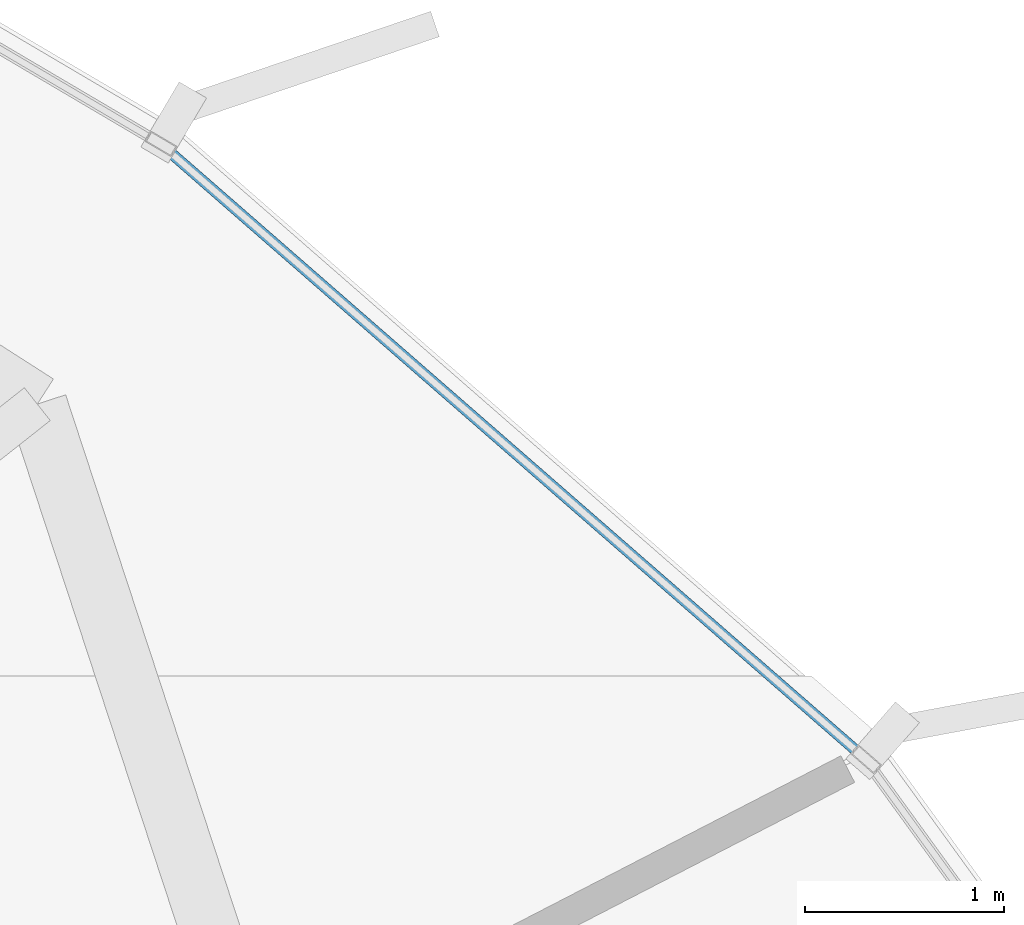
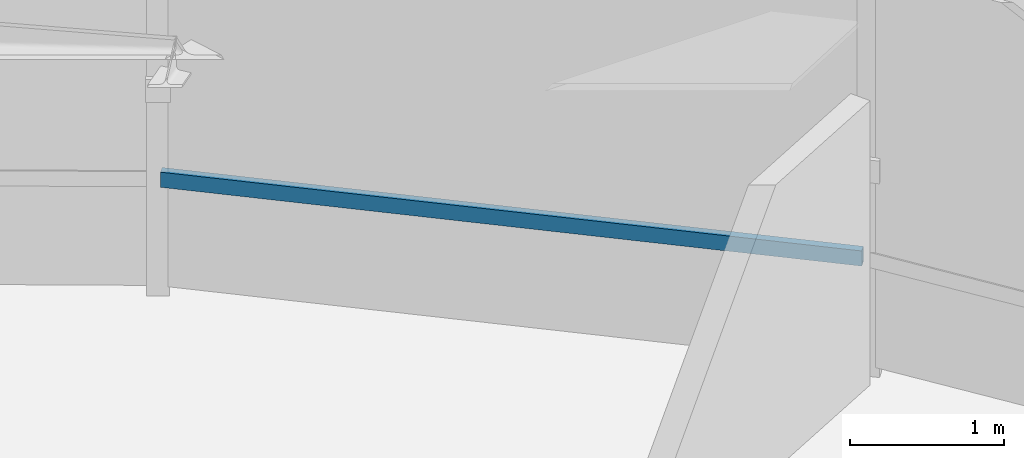
# One storey, part 26 of 35: 1 member, 1 element without a shape of its own.
"""IFC4 building model written with IfcOpenShell, lengths in metres."""

from ifc_helpers import new_model, si_unit, direction, frame, origin, origin_2d, place, context, subcontext, project, spatial, hollow_rectangle, extrude, source, transform, mapped, material, layer, layer_set, material_profile, profile_set, type_object, element, aggregate, save


model = new_model("IFC4")

# Units and contexts
model_context = context("Model", 3, precision=1e-05, world=origin(), true_north=direction((0.0, 1.0)))
body_context = subcontext(model_context, "Body", "Model", "MODEL_VIEW")
ifc_project = project(units=[si_unit("LENGTHUNIT", "METRE"), si_unit("AREAUNIT", "SQUARE_METRE"), si_unit("VOLUMEUNIT", "CUBIC_METRE"), si_unit("PLANEANGLEUNIT", "RADIAN"), si_unit("MASSUNIT", "GRAM", prefix="KILO"), si_unit("THERMODYNAMICTEMPERATUREUNIT", "KELVIN")], contexts=[model_context])

# Site, building, storey
site_placement = place(None, origin())
site = spatial("IfcSite", under=ifc_project, at=site_placement, CompositionType="ELEMENT")
building_placement = place(site_placement, origin())
building = spatial("IfcBuilding", under=site, at=building_placement, Name="Kethvar Cultural Tower", CompositionType="ELEMENT")
storey_placement = place(building_placement, frame((0.0, 0.0, 85.60009765625)))
storey = spatial("IfcBuildingStorey", under=building, at=storey_placement, Name="L20", CompositionType="ELEMENT", Elevation=85.60009765625)

# Curtain wall, member
ifc_material = material(Name="Aluminium 6063-T6", Category="aluminium")
ifc_layer = layer(ifc_material, 0.179931640625, Name="Aluminium 6063-T6", Category="aluminium")
ifc_layer_set = layer_set([ifc_layer], Name="Aluminium 6063-T6 (180 mm)")
curtain_wall_type = type_object("IfcCurtainWallType", Name="CW-SYS-03-Z2", PredefinedType="NOTDEFINED", material=ifc_layer_set)
curtain_wall_placement = place(storey_placement, origin())
curtain_wall = element("IfcCurtainWall", 1, at=curtain_wall_placement, inside=storey, type_object=curtain_wall_type, Name="L20 Curtain Wall Run 01", PredefinedType="NOTDEFINED")
ifc_material_profile = material_profile(ifc_material, hollow_rectangle(XDim=0.054931640625, YDim=0.1201171875, WallThickness=0.00390625, at=origin_2d()), Name="Aluminium 6063-T6 — RHS120x55x4")
ifc_profile_set = profile_set([ifc_material_profile], Name="Aluminium 6063-T6 — RHS120x55x4")
member_type = type_object("IfcMemberType", Name="CW-SYS-03-Z2-TRN", PredefinedType="USERDEFINED", material=ifc_profile_set)
shared_shape = source(origin(), body_context, "Body", "SweptSolid", [
    extrude(hollow_rectangle(XDim=0.054931640625, YDim=0.1201171875, WallThickness=0.00390625, at=origin_2d()), origin(), (0.0, 0.0, 1.0), 4.641845703125),
])
member_placement = place(storey_placement, frame((75.2158203125, 42.570556640625, 0.949951171875), z_axis=(-0.753641117949, 0.657286136577, 0.0), x_axis=(-0.657286136577, -0.753641117949, 0.0)))
member = element("IfcMember", 2, at=member_placement, type_object=member_type, Name="CW-L20-R01 Transom 3", ObjectType="TRANSOM", PredefinedType="USERDEFINED", context=body_context, shape_type="MappedRepresentation", body=[
    mapped(shared_shape, transform((0.0, 0.0, 0.0), scale=1.0)),
])
aggregate(curtain_wall, [member])

save(model, "model.ifc")
